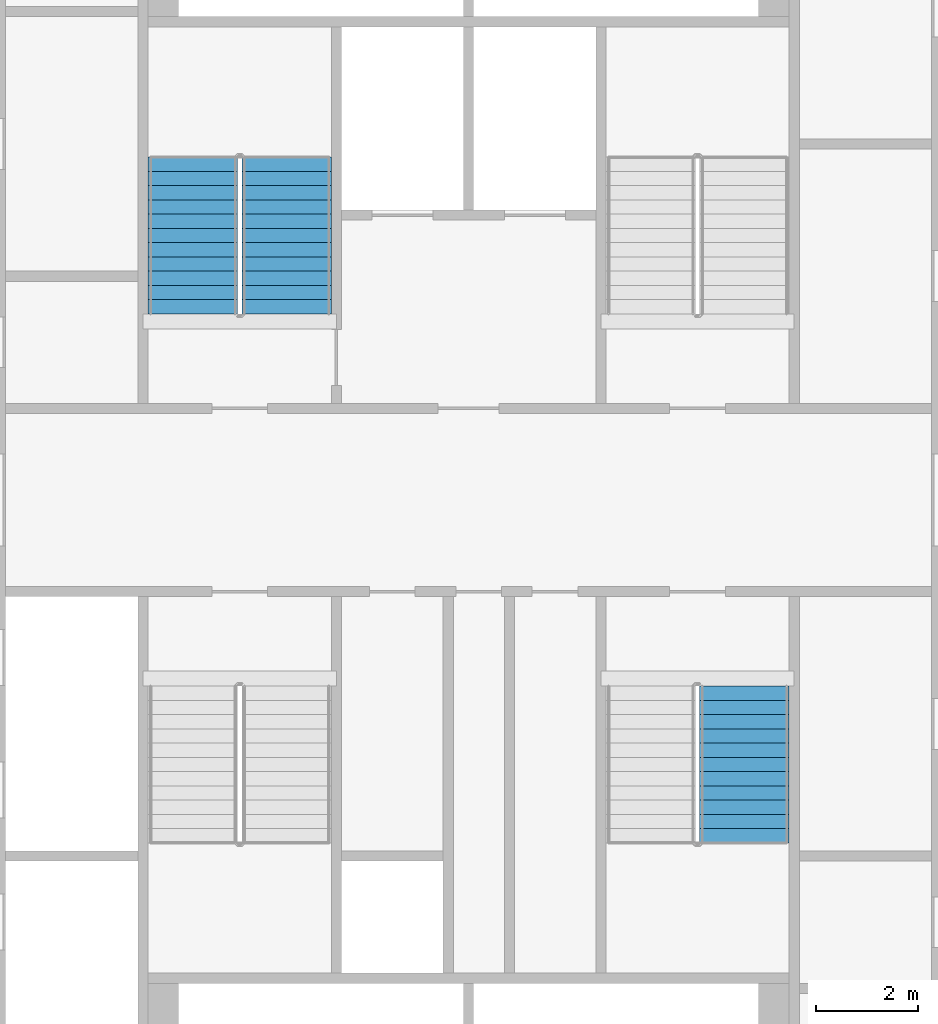
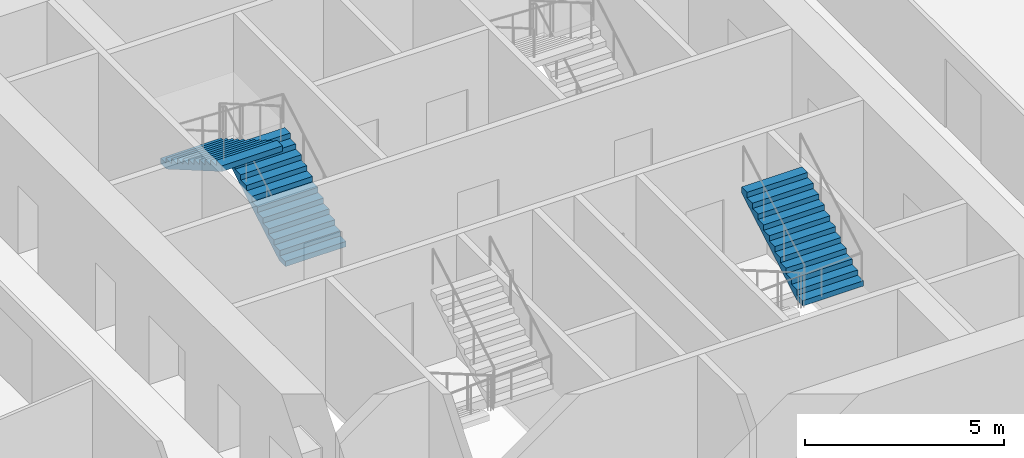
# One storey, part 9 of 15: 3 stair flights, 2 elements without a shape of their own.
"""IFC4 building model written with IfcOpenShell, lengths in metres."""

from ifc_helpers import new_model, si_unit, direction, frame, origin, place, context, subcontext, project, spatial, faceted_brep, material, type_object, element, aggregate, save


model = new_model("IFC4")

# Units and contexts
model_context = context("Model", 3, precision=1e-05, world=origin(), true_north=direction((0.0, 1.0)))
body_context = subcontext(model_context, "Body", "Model", "MODEL_VIEW")
ifc_project = project(units=[si_unit("LENGTHUNIT", "METRE"), si_unit("AREAUNIT", "SQUARE_METRE"), si_unit("VOLUMEUNIT", "CUBIC_METRE"), si_unit("PLANEANGLEUNIT", "RADIAN"), si_unit("MASSUNIT", "GRAM", prefix="KILO")], contexts=[model_context])

# Site, building, storey
site_placement = place(None, origin())
site = spatial("IfcSite", under=ifc_project, at=site_placement, CompositionType="ELEMENT")
building_placement = place(site_placement, origin())
building = spatial("IfcBuilding", under=site, at=building_placement, Name="Tarsis Ring Headquarters", CompositionType="ELEMENT")
storey_placement = place(building_placement, frame((0.0, 0.0, 75.10009765625)))
storey = spatial("IfcBuildingStorey", under=building, at=storey_placement, Name="L16", CompositionType="ELEMENT", Elevation=75.10009765625)

# Stair, stair flights
ifc_material_1 = material(Name="Core stair 1760")
stair_type = type_object("IfcStairType", Name="Core stair 1760", PredefinedType="HALF_TURN_STAIR", material=ifc_material_1)
stair_1_placement = place(storey_placement, origin())
stair_1 = element("IfcStair", 1, at=stair_1_placement, inside=storey, type_object=stair_type, Name="L16 Firefighting stair", PredefinedType="HALF_TURN_STAIR")
ifc_material_2 = material(Name="Concrete C40/50", Category="concrete")
stair_flight_type = type_object("IfcStairFlightType", Name="Core stair flight 1760", PredefinedType="STRAIGHT", material=ifc_material_2)
stair_flight_1_placement = place(storey_placement, frame((-3.580078125, 3.659912109375, 0.0), z_axis=(0.0, 0.0, 1.0), x_axis=(0.0, 1.0, 0.0)))
stair_flight_1 = element("IfcStairFlight", 2, at=stair_flight_1_placement, type_object=stair_flight_type, Name="Stair ST1 flight 1", NumberOfRisers=12, NumberOfTreads=11, PredefinedType="STRAIGHT", RiserHeight=0.1625, TreadLength=0.28, context=body_context, shape_type="Brep", body=[
    faceted_brep([(0.0, 0.8798828125, 0.0), (0.0, 0.8798828125, 0.16259765625), (0.280029296875, 0.8798828125, 0.16259765625), (0.280029296875, 0.8798828125, 0.324951171875), (0.56005859375, 0.8798828125, 0.324951171875), (0.56005859375, 0.8798828125, 0.487548828125), (0.840087890625, 0.8798828125, 0.487548828125), (0.840087890625, 0.8798828125, 0.64990234375), (1.1201171875, 0.8798828125, 0.64990234375), (1.1201171875, 0.8798828125, 0.8125), (1.39990234375, 0.8798828125, 0.8125), (1.39990234375, 0.8798828125, 0.97509765625), (1.679931640625, 0.8798828125, 0.97509765625), (1.679931640625, 0.8798828125, 1.137451171875), (1.9599609375, 0.8798828125, 1.137451171875), (1.9599609375, 0.8798828125, 1.300048828125), (2.239990234375, 0.8798828125, 1.300048828125), (2.239990234375, 0.8798828125, 1.46240234375), (2.52001953125, 0.8798828125, 1.46240234375), (2.52001953125, 0.8798828125, 1.625), (2.800048828125, 0.8798828125, 1.625), (2.800048828125, 0.8798828125, 1.78759765625), (3.080078125, 0.8798828125, 1.78759765625), (3.080078125, 0.8798828125, 1.6142578125), (0.298583984375, 0.8798828125, 0.0), (0.298583984375, -0.8798828125, 0.0), (3.080078125, -0.8798828125, 1.6142578125), (3.080078125, -0.8798828125, 1.78759765625), (2.800048828125, -0.8798828125, 1.78759765625), (2.800048828125, -0.8798828125, 1.625), (2.52001953125, -0.8798828125, 1.625), (2.52001953125, -0.8798828125, 1.46240234375), (2.239990234375, -0.8798828125, 1.46240234375), (2.239990234375, -0.8798828125, 1.300048828125), (1.9599609375, -0.8798828125, 1.300048828125), (1.9599609375, -0.8798828125, 1.137451171875), (1.679931640625, -0.8798828125, 1.137451171875), (1.679931640625, -0.8798828125, 0.97509765625), (1.39990234375, -0.8798828125, 0.97509765625), (1.39990234375, -0.8798828125, 0.8125), (1.1201171875, -0.8798828125, 0.8125), (1.1201171875, -0.8798828125, 0.64990234375), (0.840087890625, -0.8798828125, 0.64990234375), (0.840087890625, -0.8798828125, 0.487548828125), (0.56005859375, -0.8798828125, 0.487548828125), (0.56005859375, -0.8798828125, 0.324951171875), (0.280029296875, -0.8798828125, 0.324951171875), (0.280029296875, -0.8798828125, 0.16259765625), (0.0, -0.8798828125, 0.16259765625), (0.0, -0.8798828125, 0.0), (0.0, -0.43994140625, 0.16259765625), (0.0, -0.43994140625, 0.0), (0.0, 0.0, 0.16259765625), (0.0, 0.0, 0.0), (0.0, 0.43994140625, 0.16259765625), (0.0, 0.43994140625, 0.0), (0.280029296875, -0.43994140625, 0.16259765625), (0.280029296875, 0.0, 0.16259765625), (0.280029296875, 0.43994140625, 0.16259765625), (0.280029296875, -0.43994140625, 0.324951171875), (0.280029296875, 0.0, 0.324951171875), (0.280029296875, 0.43994140625, 0.324951171875), (0.56005859375, -0.43994140625, 0.324951171875), (0.56005859375, 0.0, 0.324951171875), (0.56005859375, 0.43994140625, 0.324951171875), (0.56005859375, -0.43994140625, 0.487548828125), (0.56005859375, 0.0, 0.487548828125), (0.56005859375, 0.43994140625, 0.487548828125), (0.840087890625, -0.43994140625, 0.487548828125), (0.840087890625, 0.0, 0.487548828125), (0.840087890625, 0.43994140625, 0.487548828125), (0.840087890625, -0.43994140625, 0.64990234375), (0.840087890625, 0.0, 0.64990234375), (0.840087890625, 0.43994140625, 0.64990234375), (1.1201171875, -0.43994140625, 0.64990234375), (1.1201171875, 0.0, 0.64990234375), (1.1201171875, 0.43994140625, 0.64990234375), (1.1201171875, -0.43994140625, 0.8125), (1.1201171875, 0.0, 0.8125), (1.1201171875, 0.43994140625, 0.8125), (1.39990234375, -0.43994140625, 0.8125), (1.39990234375, 0.0, 0.8125), (1.39990234375, 0.43994140625, 0.8125), (1.39990234375, -0.43994140625, 0.97509765625), (1.39990234375, 0.0, 0.97509765625), (1.39990234375, 0.43994140625, 0.97509765625), (1.679931640625, -0.43994140625, 0.97509765625), (1.679931640625, 0.0, 0.97509765625), (1.679931640625, 0.43994140625, 0.97509765625), (1.679931640625, -0.43994140625, 1.137451171875), (1.679931640625, 0.0, 1.137451171875), (1.679931640625, 0.43994140625, 1.137451171875), (1.9599609375, -0.43994140625, 1.137451171875), (1.9599609375, 0.0, 1.137451171875), (1.9599609375, 0.43994140625, 1.137451171875), (1.9599609375, -0.43994140625, 1.300048828125), (1.9599609375, 0.0, 1.300048828125), (1.9599609375, 0.43994140625, 1.300048828125), (2.239990234375, -0.43994140625, 1.300048828125), (2.239990234375, 0.0, 1.300048828125), (2.239990234375, 0.43994140625, 1.300048828125), (2.239990234375, -0.43994140625, 1.46240234375), (2.239990234375, 0.0, 1.46240234375), (2.239990234375, 0.43994140625, 1.46240234375), (2.52001953125, -0.43994140625, 1.46240234375), (2.52001953125, 0.0, 1.46240234375), (2.52001953125, 0.43994140625, 1.46240234375), (2.52001953125, -0.43994140625, 1.625), (2.52001953125, 0.0, 1.625), (2.52001953125, 0.43994140625, 1.625), (2.800048828125, -0.43994140625, 1.625), (2.800048828125, 0.0, 1.625), (2.800048828125, 0.43994140625, 1.625), (2.800048828125, -0.43994140625, 1.78759765625), (2.800048828125, 0.0, 1.78759765625), (2.800048828125, 0.43994140625, 1.78759765625), (3.080078125, -0.43994140625, 1.78759765625), (3.080078125, 0.0, 1.78759765625), (3.080078125, 0.43994140625, 1.78759765625), (3.080078125, -0.43994140625, 1.6142578125), (3.080078125, 0.0, 1.6142578125), (3.080078125, 0.43994140625, 1.6142578125), (0.298583984375, -0.43994140625, 0.0), (0.298583984375, 0.0, 0.0), (0.298583984375, 0.43994140625, 0.0)], [[[0, 1, 2, 3, 4, 5, 6, 7, 8, 9, 10, 11, 12, 13, 14, 15, 16, 17, 18, 19, 20, 21, 22, 23, 24]], [[25, 26, 27, 28, 29, 30, 31, 32, 33, 34, 35, 36, 37, 38, 39, 40, 41, 42, 43, 44, 45, 46, 47, 48, 49]], [[49, 48, 50, 51]], [[51, 50, 52, 53]], [[53, 52, 54, 55]], [[55, 54, 1, 0]], [[48, 47, 56, 50]], [[50, 56, 57, 52]], [[52, 57, 58, 54]], [[54, 58, 2, 1]], [[47, 46, 59, 56]], [[56, 59, 60, 57]], [[57, 60, 61, 58]], [[58, 61, 3, 2]], [[46, 45, 62, 59]], [[59, 62, 63, 60]], [[60, 63, 64, 61]], [[61, 64, 4, 3]], [[45, 44, 65, 62]], [[62, 65, 66, 63]], [[63, 66, 67, 64]], [[64, 67, 5, 4]], [[44, 43, 68, 65]], [[65, 68, 69, 66]], [[66, 69, 70, 67]], [[67, 70, 6, 5]], [[43, 42, 71, 68]], [[68, 71, 72, 69]], [[69, 72, 73, 70]], [[70, 73, 7, 6]], [[42, 41, 74, 71]], [[71, 74, 75, 72]], [[72, 75, 76, 73]], [[73, 76, 8, 7]], [[41, 40, 77, 74]], [[74, 77, 78, 75]], [[75, 78, 79, 76]], [[76, 79, 9, 8]], [[40, 39, 80, 77]], [[77, 80, 81, 78]], [[78, 81, 82, 79]], [[79, 82, 10, 9]], [[39, 38, 83, 80]], [[80, 83, 84, 81]], [[81, 84, 85, 82]], [[82, 85, 11, 10]], [[38, 37, 86, 83]], [[83, 86, 87, 84]], [[84, 87, 88, 85]], [[85, 88, 12, 11]], [[37, 36, 89, 86]], [[86, 89, 90, 87]], [[87, 90, 91, 88]], [[88, 91, 13, 12]], [[36, 35, 92, 89]], [[89, 92, 93, 90]], [[90, 93, 94, 91]], [[91, 94, 14, 13]], [[35, 34, 95, 92]], [[92, 95, 96, 93]], [[93, 96, 97, 94]], [[94, 97, 15, 14]], [[34, 33, 98, 95]], [[95, 98, 99, 96]], [[96, 99, 100, 97]], [[97, 100, 16, 15]], [[33, 32, 101, 98]], [[98, 101, 102, 99]], [[99, 102, 103, 100]], [[100, 103, 17, 16]], [[32, 31, 104, 101]], [[101, 104, 105, 102]], [[102, 105, 106, 103]], [[103, 106, 18, 17]], [[31, 30, 107, 104]], [[104, 107, 108, 105]], [[105, 108, 109, 106]], [[106, 109, 19, 18]], [[30, 29, 110, 107]], [[107, 110, 111, 108]], [[108, 111, 112, 109]], [[109, 112, 20, 19]], [[29, 28, 113, 110]], [[110, 113, 114, 111]], [[111, 114, 115, 112]], [[112, 115, 21, 20]], [[28, 27, 116, 113]], [[113, 116, 117, 114]], [[114, 117, 118, 115]], [[115, 118, 22, 21]], [[27, 26, 119, 116]], [[116, 119, 120, 117]], [[117, 120, 121, 118]], [[118, 121, 23, 22]], [[26, 25, 122, 119]], [[119, 122, 123, 120]], [[120, 123, 124, 121]], [[121, 124, 24, 23]], [[25, 49, 51, 122]], [[122, 51, 53, 123]], [[123, 53, 55, 124]], [[124, 55, 0, 24]]]),
])
stair_flight_2_placement = place(storey_placement, frame((-5.419921875, 6.739990234375, 1.949951171875), z_axis=(0.0, 0.0, 1.0), x_axis=(0.0, -1.0, 0.0)))
stair_flight_2 = element("IfcStairFlight", 3, at=stair_flight_2_placement, type_object=stair_flight_type, Name="Stair ST1 flight 2", NumberOfRisers=12, NumberOfTreads=11, PredefinedType="STRAIGHT", RiserHeight=0.1625, TreadLength=0.28, context=body_context, shape_type="Brep", body=[
    faceted_brep([(0.0, 0.8798828125, 0.0), (0.0, 0.8798828125, 0.16259765625), (0.280029296875, 0.8798828125, 0.16259765625), (0.280029296875, 0.8798828125, 0.324951171875), (0.56005859375, 0.8798828125, 0.324951171875), (0.56005859375, 0.8798828125, 0.487548828125), (0.840087890625, 0.8798828125, 0.487548828125), (0.840087890625, 0.8798828125, 0.64990234375), (1.1201171875, 0.8798828125, 0.64990234375), (1.1201171875, 0.8798828125, 0.8125), (1.39990234375, 0.8798828125, 0.8125), (1.39990234375, 0.8798828125, 0.97509765625), (1.679931640625, 0.8798828125, 0.97509765625), (1.679931640625, 0.8798828125, 1.137451171875), (1.9599609375, 0.8798828125, 1.137451171875), (1.9599609375, 0.8798828125, 1.300048828125), (2.239990234375, 0.8798828125, 1.300048828125), (2.239990234375, 0.8798828125, 1.46240234375), (2.52001953125, 0.8798828125, 1.46240234375), (2.52001953125, 0.8798828125, 1.625), (2.800048828125, 0.8798828125, 1.625), (2.800048828125, 0.8798828125, 1.78759765625), (3.080078125, 0.8798828125, 1.78759765625), (3.080078125, 0.8798828125, 1.6142578125), (0.298583984375, 0.8798828125, 0.0), (0.298583984375, -0.8798828125, 0.0), (3.080078125, -0.8798828125, 1.6142578125), (3.080078125, -0.8798828125, 1.78759765625), (2.800048828125, -0.8798828125, 1.78759765625), (2.800048828125, -0.8798828125, 1.625), (2.52001953125, -0.8798828125, 1.625), (2.52001953125, -0.8798828125, 1.46240234375), (2.239990234375, -0.8798828125, 1.46240234375), (2.239990234375, -0.8798828125, 1.300048828125), (1.9599609375, -0.8798828125, 1.300048828125), (1.9599609375, -0.8798828125, 1.137451171875), (1.679931640625, -0.8798828125, 1.137451171875), (1.679931640625, -0.8798828125, 0.97509765625), (1.39990234375, -0.8798828125, 0.97509765625), (1.39990234375, -0.8798828125, 0.8125), (1.1201171875, -0.8798828125, 0.8125), (1.1201171875, -0.8798828125, 0.64990234375), (0.840087890625, -0.8798828125, 0.64990234375), (0.840087890625, -0.8798828125, 0.487548828125), (0.56005859375, -0.8798828125, 0.487548828125), (0.56005859375, -0.8798828125, 0.324951171875), (0.280029296875, -0.8798828125, 0.324951171875), (0.280029296875, -0.8798828125, 0.16259765625), (0.0, -0.8798828125, 0.16259765625), (0.0, -0.8798828125, 0.0), (0.0, -0.43994140625, 0.16259765625), (0.0, -0.43994140625, 0.0), (0.0, 0.0, 0.16259765625), (0.0, 0.0, 0.0), (0.0, 0.43994140625, 0.16259765625), (0.0, 0.43994140625, 0.0), (0.280029296875, -0.43994140625, 0.16259765625), (0.280029296875, 0.0, 0.16259765625), (0.280029296875, 0.43994140625, 0.16259765625), (0.280029296875, -0.43994140625, 0.324951171875), (0.280029296875, 0.0, 0.324951171875), (0.280029296875, 0.43994140625, 0.324951171875), (0.56005859375, -0.43994140625, 0.324951171875), (0.56005859375, 0.0, 0.324951171875), (0.56005859375, 0.43994140625, 0.324951171875), (0.56005859375, -0.43994140625, 0.487548828125), (0.56005859375, 0.0, 0.487548828125), (0.56005859375, 0.43994140625, 0.487548828125), (0.840087890625, -0.43994140625, 0.487548828125), (0.840087890625, 0.0, 0.487548828125), (0.840087890625, 0.43994140625, 0.487548828125), (0.840087890625, -0.43994140625, 0.64990234375), (0.840087890625, 0.0, 0.64990234375), (0.840087890625, 0.43994140625, 0.64990234375), (1.1201171875, -0.43994140625, 0.64990234375), (1.1201171875, 0.0, 0.64990234375), (1.1201171875, 0.43994140625, 0.64990234375), (1.1201171875, -0.43994140625, 0.8125), (1.1201171875, 0.0, 0.8125), (1.1201171875, 0.43994140625, 0.8125), (1.39990234375, -0.43994140625, 0.8125), (1.39990234375, 0.0, 0.8125), (1.39990234375, 0.43994140625, 0.8125), (1.39990234375, -0.43994140625, 0.97509765625), (1.39990234375, 0.0, 0.97509765625), (1.39990234375, 0.43994140625, 0.97509765625), (1.679931640625, -0.43994140625, 0.97509765625), (1.679931640625, 0.0, 0.97509765625), (1.679931640625, 0.43994140625, 0.97509765625), (1.679931640625, -0.43994140625, 1.137451171875), (1.679931640625, 0.0, 1.137451171875), (1.679931640625, 0.43994140625, 1.137451171875), (1.9599609375, -0.43994140625, 1.137451171875), (1.9599609375, 0.0, 1.137451171875), (1.9599609375, 0.43994140625, 1.137451171875), (1.9599609375, -0.43994140625, 1.300048828125), (1.9599609375, 0.0, 1.300048828125), (1.9599609375, 0.43994140625, 1.300048828125), (2.239990234375, -0.43994140625, 1.300048828125), (2.239990234375, 0.0, 1.300048828125), (2.239990234375, 0.43994140625, 1.300048828125), (2.239990234375, -0.43994140625, 1.46240234375), (2.239990234375, 0.0, 1.46240234375), (2.239990234375, 0.43994140625, 1.46240234375), (2.52001953125, -0.43994140625, 1.46240234375), (2.52001953125, 0.0, 1.46240234375), (2.52001953125, 0.43994140625, 1.46240234375), (2.52001953125, -0.43994140625, 1.625), (2.52001953125, 0.0, 1.625), (2.52001953125, 0.43994140625, 1.625), (2.800048828125, -0.43994140625, 1.625), (2.800048828125, 0.0, 1.625), (2.800048828125, 0.43994140625, 1.625), (2.800048828125, -0.43994140625, 1.78759765625), (2.800048828125, 0.0, 1.78759765625), (2.800048828125, 0.43994140625, 1.78759765625), (3.080078125, -0.43994140625, 1.78759765625), (3.080078125, 0.0, 1.78759765625), (3.080078125, 0.43994140625, 1.78759765625), (3.080078125, -0.43994140625, 1.6142578125), (3.080078125, 0.0, 1.6142578125), (3.080078125, 0.43994140625, 1.6142578125), (0.298583984375, -0.43994140625, 0.0), (0.298583984375, 0.0, 0.0), (0.298583984375, 0.43994140625, 0.0)], [[[0, 1, 2, 3, 4, 5, 6, 7, 8, 9, 10, 11, 12, 13, 14, 15, 16, 17, 18, 19, 20, 21, 22, 23, 24]], [[25, 26, 27, 28, 29, 30, 31, 32, 33, 34, 35, 36, 37, 38, 39, 40, 41, 42, 43, 44, 45, 46, 47, 48, 49]], [[49, 48, 50, 51]], [[51, 50, 52, 53]], [[53, 52, 54, 55]], [[55, 54, 1, 0]], [[48, 47, 56, 50]], [[50, 56, 57, 52]], [[52, 57, 58, 54]], [[54, 58, 2, 1]], [[47, 46, 59, 56]], [[56, 59, 60, 57]], [[57, 60, 61, 58]], [[58, 61, 3, 2]], [[46, 45, 62, 59]], [[59, 62, 63, 60]], [[60, 63, 64, 61]], [[61, 64, 4, 3]], [[45, 44, 65, 62]], [[62, 65, 66, 63]], [[63, 66, 67, 64]], [[64, 67, 5, 4]], [[44, 43, 68, 65]], [[65, 68, 69, 66]], [[66, 69, 70, 67]], [[67, 70, 6, 5]], [[43, 42, 71, 68]], [[68, 71, 72, 69]], [[69, 72, 73, 70]], [[70, 73, 7, 6]], [[42, 41, 74, 71]], [[71, 74, 75, 72]], [[72, 75, 76, 73]], [[73, 76, 8, 7]], [[41, 40, 77, 74]], [[74, 77, 78, 75]], [[75, 78, 79, 76]], [[76, 79, 9, 8]], [[40, 39, 80, 77]], [[77, 80, 81, 78]], [[78, 81, 82, 79]], [[79, 82, 10, 9]], [[39, 38, 83, 80]], [[80, 83, 84, 81]], [[81, 84, 85, 82]], [[82, 85, 11, 10]], [[38, 37, 86, 83]], [[83, 86, 87, 84]], [[84, 87, 88, 85]], [[85, 88, 12, 11]], [[37, 36, 89, 86]], [[86, 89, 90, 87]], [[87, 90, 91, 88]], [[88, 91, 13, 12]], [[36, 35, 92, 89]], [[89, 92, 93, 90]], [[90, 93, 94, 91]], [[91, 94, 14, 13]], [[35, 34, 95, 92]], [[92, 95, 96, 93]], [[93, 96, 97, 94]], [[94, 97, 15, 14]], [[34, 33, 98, 95]], [[95, 98, 99, 96]], [[96, 99, 100, 97]], [[97, 100, 16, 15]], [[33, 32, 101, 98]], [[98, 101, 102, 99]], [[99, 102, 103, 100]], [[100, 103, 17, 16]], [[32, 31, 104, 101]], [[101, 104, 105, 102]], [[102, 105, 106, 103]], [[103, 106, 18, 17]], [[31, 30, 107, 104]], [[104, 107, 108, 105]], [[105, 108, 109, 106]], [[106, 109, 19, 18]], [[30, 29, 110, 107]], [[107, 110, 111, 108]], [[108, 111, 112, 109]], [[109, 112, 20, 19]], [[29, 28, 113, 110]], [[110, 113, 114, 111]], [[111, 114, 115, 112]], [[112, 115, 21, 20]], [[28, 27, 116, 113]], [[113, 116, 117, 114]], [[114, 117, 118, 115]], [[115, 118, 22, 21]], [[27, 26, 119, 116]], [[116, 119, 120, 117]], [[117, 120, 121, 118]], [[118, 121, 23, 22]], [[26, 25, 122, 119]], [[119, 122, 123, 120]], [[120, 123, 124, 121]], [[121, 124, 24, 23]], [[25, 49, 51, 122]], [[122, 51, 53, 123]], [[123, 53, 55, 124]], [[124, 55, 0, 24]]]),
])
aggregate(stair_1, [stair_flight_1, stair_flight_2])

# Stair, stair flight
stair_2_placement = place(storey_placement, origin())
stair_2 = element("IfcStair", 4, at=stair_2_placement, inside=storey, type_object=stair_type, Name="L16 Exit stair D", PredefinedType="HALF_TURN_STAIR")
stair_flight_3_placement = place(storey_placement, frame((5.419921875, -6.739990234375, 1.949951171875), z_axis=(0.0, 0.0, 1.0), x_axis=(0.0, 1.0, 0.0)))
stair_flight_3 = element("IfcStairFlight", 5, at=stair_flight_3_placement, type_object=stair_flight_type, Name="Stair ST4 flight 2", NumberOfRisers=12, NumberOfTreads=11, PredefinedType="STRAIGHT", RiserHeight=0.1625, TreadLength=0.28, context=body_context, shape_type="Brep", body=[
    faceted_brep([(0.0, 0.8798828125, 0.0), (0.0, 0.8798828125, 0.16259765625), (0.280029296875, 0.8798828125, 0.16259765625), (0.280029296875, 0.8798828125, 0.324951171875), (0.56005859375, 0.8798828125, 0.324951171875), (0.56005859375, 0.8798828125, 0.487548828125), (0.840087890625, 0.8798828125, 0.487548828125), (0.840087890625, 0.8798828125, 0.64990234375), (1.1201171875, 0.8798828125, 0.64990234375), (1.1201171875, 0.8798828125, 0.8125), (1.39990234375, 0.8798828125, 0.8125), (1.39990234375, 0.8798828125, 0.97509765625), (1.679931640625, 0.8798828125, 0.97509765625), (1.679931640625, 0.8798828125, 1.137451171875), (1.9599609375, 0.8798828125, 1.137451171875), (1.9599609375, 0.8798828125, 1.300048828125), (2.239990234375, 0.8798828125, 1.300048828125), (2.239990234375, 0.8798828125, 1.46240234375), (2.52001953125, 0.8798828125, 1.46240234375), (2.52001953125, 0.8798828125, 1.625), (2.800048828125, 0.8798828125, 1.625), (2.800048828125, 0.8798828125, 1.78759765625), (3.080078125, 0.8798828125, 1.78759765625), (3.080078125, 0.8798828125, 1.6142578125), (0.298583984375, 0.8798828125, 0.0), (0.298583984375, -0.8798828125, 0.0), (3.080078125, -0.8798828125, 1.6142578125), (3.080078125, -0.8798828125, 1.78759765625), (2.800048828125, -0.8798828125, 1.78759765625), (2.800048828125, -0.8798828125, 1.625), (2.52001953125, -0.8798828125, 1.625), (2.52001953125, -0.8798828125, 1.46240234375), (2.239990234375, -0.8798828125, 1.46240234375), (2.239990234375, -0.8798828125, 1.300048828125), (1.9599609375, -0.8798828125, 1.300048828125), (1.9599609375, -0.8798828125, 1.137451171875), (1.679931640625, -0.8798828125, 1.137451171875), (1.679931640625, -0.8798828125, 0.97509765625), (1.39990234375, -0.8798828125, 0.97509765625), (1.39990234375, -0.8798828125, 0.8125), (1.1201171875, -0.8798828125, 0.8125), (1.1201171875, -0.8798828125, 0.64990234375), (0.840087890625, -0.8798828125, 0.64990234375), (0.840087890625, -0.8798828125, 0.487548828125), (0.56005859375, -0.8798828125, 0.487548828125), (0.56005859375, -0.8798828125, 0.324951171875), (0.280029296875, -0.8798828125, 0.324951171875), (0.280029296875, -0.8798828125, 0.16259765625), (0.0, -0.8798828125, 0.16259765625), (0.0, -0.8798828125, 0.0), (0.0, -0.43994140625, 0.16259765625), (0.0, -0.43994140625, 0.0), (0.0, 0.0, 0.16259765625), (0.0, 0.0, 0.0), (0.0, 0.43994140625, 0.16259765625), (0.0, 0.43994140625, 0.0), (0.280029296875, -0.43994140625, 0.16259765625), (0.280029296875, 0.0, 0.16259765625), (0.280029296875, 0.43994140625, 0.16259765625), (0.280029296875, -0.43994140625, 0.324951171875), (0.280029296875, 0.0, 0.324951171875), (0.280029296875, 0.43994140625, 0.324951171875), (0.56005859375, -0.43994140625, 0.324951171875), (0.56005859375, 0.0, 0.324951171875), (0.56005859375, 0.43994140625, 0.324951171875), (0.56005859375, -0.43994140625, 0.487548828125), (0.56005859375, 0.0, 0.487548828125), (0.56005859375, 0.43994140625, 0.487548828125), (0.840087890625, -0.43994140625, 0.487548828125), (0.840087890625, 0.0, 0.487548828125), (0.840087890625, 0.43994140625, 0.487548828125), (0.840087890625, -0.43994140625, 0.64990234375), (0.840087890625, 0.0, 0.64990234375), (0.840087890625, 0.43994140625, 0.64990234375), (1.1201171875, -0.43994140625, 0.64990234375), (1.1201171875, 0.0, 0.64990234375), (1.1201171875, 0.43994140625, 0.64990234375), (1.1201171875, -0.43994140625, 0.8125), (1.1201171875, 0.0, 0.8125), (1.1201171875, 0.43994140625, 0.8125), (1.39990234375, -0.43994140625, 0.8125), (1.39990234375, 0.0, 0.8125), (1.39990234375, 0.43994140625, 0.8125), (1.39990234375, -0.43994140625, 0.97509765625), (1.39990234375, 0.0, 0.97509765625), (1.39990234375, 0.43994140625, 0.97509765625), (1.679931640625, -0.43994140625, 0.97509765625), (1.679931640625, 0.0, 0.97509765625), (1.679931640625, 0.43994140625, 0.97509765625), (1.679931640625, -0.43994140625, 1.137451171875), (1.679931640625, 0.0, 1.137451171875), (1.679931640625, 0.43994140625, 1.137451171875), (1.9599609375, -0.43994140625, 1.137451171875), (1.9599609375, 0.0, 1.137451171875), (1.9599609375, 0.43994140625, 1.137451171875), (1.9599609375, -0.43994140625, 1.300048828125), (1.9599609375, 0.0, 1.300048828125), (1.9599609375, 0.43994140625, 1.300048828125), (2.239990234375, -0.43994140625, 1.300048828125), (2.239990234375, 0.0, 1.300048828125), (2.239990234375, 0.43994140625, 1.300048828125), (2.239990234375, -0.43994140625, 1.46240234375), (2.239990234375, 0.0, 1.46240234375), (2.239990234375, 0.43994140625, 1.46240234375), (2.52001953125, -0.43994140625, 1.46240234375), (2.52001953125, 0.0, 1.46240234375), (2.52001953125, 0.43994140625, 1.46240234375), (2.52001953125, -0.43994140625, 1.625), (2.52001953125, 0.0, 1.625), (2.52001953125, 0.43994140625, 1.625), (2.800048828125, -0.43994140625, 1.625), (2.800048828125, 0.0, 1.625), (2.800048828125, 0.43994140625, 1.625), (2.800048828125, -0.43994140625, 1.78759765625), (2.800048828125, 0.0, 1.78759765625), (2.800048828125, 0.43994140625, 1.78759765625), (3.080078125, -0.43994140625, 1.78759765625), (3.080078125, 0.0, 1.78759765625), (3.080078125, 0.43994140625, 1.78759765625), (3.080078125, -0.43994140625, 1.6142578125), (3.080078125, 0.0, 1.6142578125), (3.080078125, 0.43994140625, 1.6142578125), (0.298583984375, -0.43994140625, 0.0), (0.298583984375, 0.0, 0.0), (0.298583984375, 0.43994140625, 0.0)], [[[0, 1, 2, 3, 4, 5, 6, 7, 8, 9, 10, 11, 12, 13, 14, 15, 16, 17, 18, 19, 20, 21, 22, 23, 24]], [[25, 26, 27, 28, 29, 30, 31, 32, 33, 34, 35, 36, 37, 38, 39, 40, 41, 42, 43, 44, 45, 46, 47, 48, 49]], [[49, 48, 50, 51]], [[51, 50, 52, 53]], [[53, 52, 54, 55]], [[55, 54, 1, 0]], [[48, 47, 56, 50]], [[50, 56, 57, 52]], [[52, 57, 58, 54]], [[54, 58, 2, 1]], [[47, 46, 59, 56]], [[56, 59, 60, 57]], [[57, 60, 61, 58]], [[58, 61, 3, 2]], [[46, 45, 62, 59]], [[59, 62, 63, 60]], [[60, 63, 64, 61]], [[61, 64, 4, 3]], [[45, 44, 65, 62]], [[62, 65, 66, 63]], [[63, 66, 67, 64]], [[64, 67, 5, 4]], [[44, 43, 68, 65]], [[65, 68, 69, 66]], [[66, 69, 70, 67]], [[67, 70, 6, 5]], [[43, 42, 71, 68]], [[68, 71, 72, 69]], [[69, 72, 73, 70]], [[70, 73, 7, 6]], [[42, 41, 74, 71]], [[71, 74, 75, 72]], [[72, 75, 76, 73]], [[73, 76, 8, 7]], [[41, 40, 77, 74]], [[74, 77, 78, 75]], [[75, 78, 79, 76]], [[76, 79, 9, 8]], [[40, 39, 80, 77]], [[77, 80, 81, 78]], [[78, 81, 82, 79]], [[79, 82, 10, 9]], [[39, 38, 83, 80]], [[80, 83, 84, 81]], [[81, 84, 85, 82]], [[82, 85, 11, 10]], [[38, 37, 86, 83]], [[83, 86, 87, 84]], [[84, 87, 88, 85]], [[85, 88, 12, 11]], [[37, 36, 89, 86]], [[86, 89, 90, 87]], [[87, 90, 91, 88]], [[88, 91, 13, 12]], [[36, 35, 92, 89]], [[89, 92, 93, 90]], [[90, 93, 94, 91]], [[91, 94, 14, 13]], [[35, 34, 95, 92]], [[92, 95, 96, 93]], [[93, 96, 97, 94]], [[94, 97, 15, 14]], [[34, 33, 98, 95]], [[95, 98, 99, 96]], [[96, 99, 100, 97]], [[97, 100, 16, 15]], [[33, 32, 101, 98]], [[98, 101, 102, 99]], [[99, 102, 103, 100]], [[100, 103, 17, 16]], [[32, 31, 104, 101]], [[101, 104, 105, 102]], [[102, 105, 106, 103]], [[103, 106, 18, 17]], [[31, 30, 107, 104]], [[104, 107, 108, 105]], [[105, 108, 109, 106]], [[106, 109, 19, 18]], [[30, 29, 110, 107]], [[107, 110, 111, 108]], [[108, 111, 112, 109]], [[109, 112, 20, 19]], [[29, 28, 113, 110]], [[110, 113, 114, 111]], [[111, 114, 115, 112]], [[112, 115, 21, 20]], [[28, 27, 116, 113]], [[113, 116, 117, 114]], [[114, 117, 118, 115]], [[115, 118, 22, 21]], [[27, 26, 119, 116]], [[116, 119, 120, 117]], [[117, 120, 121, 118]], [[118, 121, 23, 22]], [[26, 25, 122, 119]], [[119, 122, 123, 120]], [[120, 123, 124, 121]], [[121, 124, 24, 23]], [[25, 49, 51, 122]], [[122, 51, 53, 123]], [[123, 53, 55, 124]], [[124, 55, 0, 24]]]),
])
aggregate(stair_2, [stair_flight_3])

save(model, "model.ifc")
